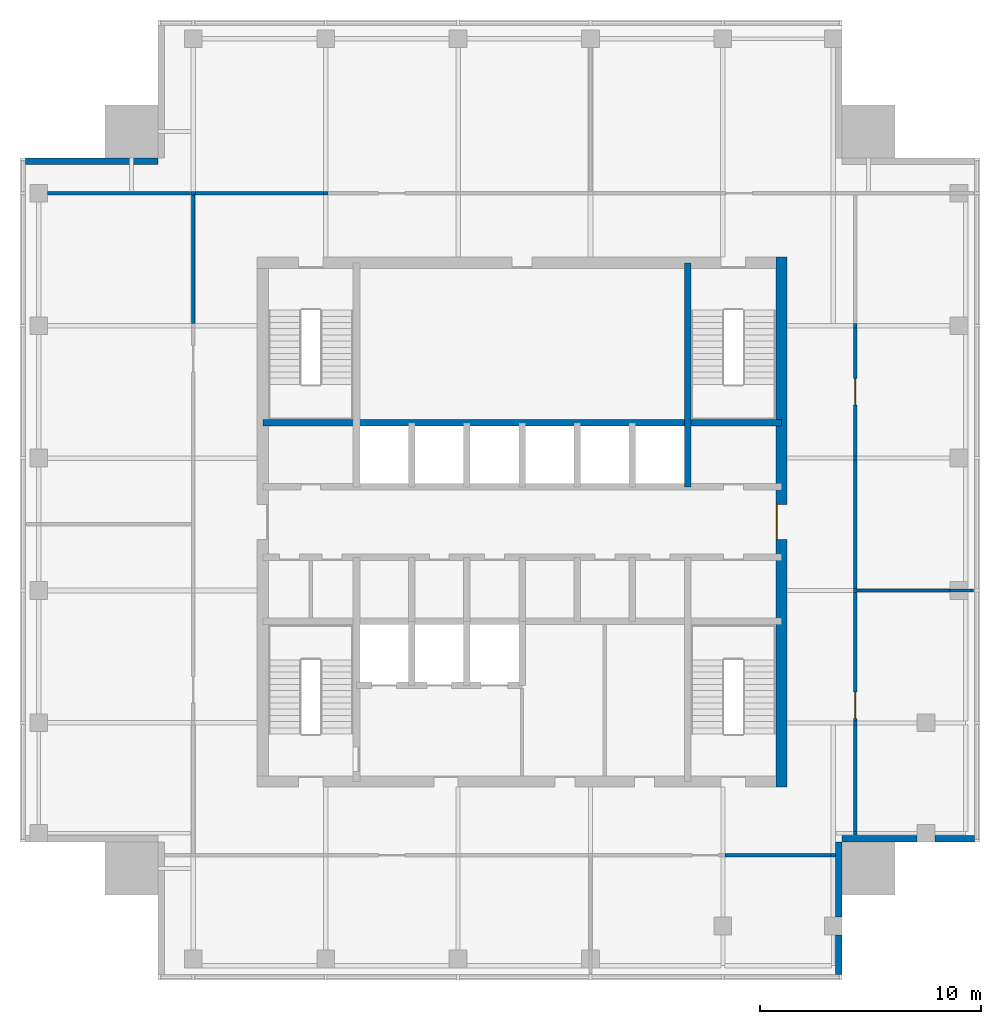
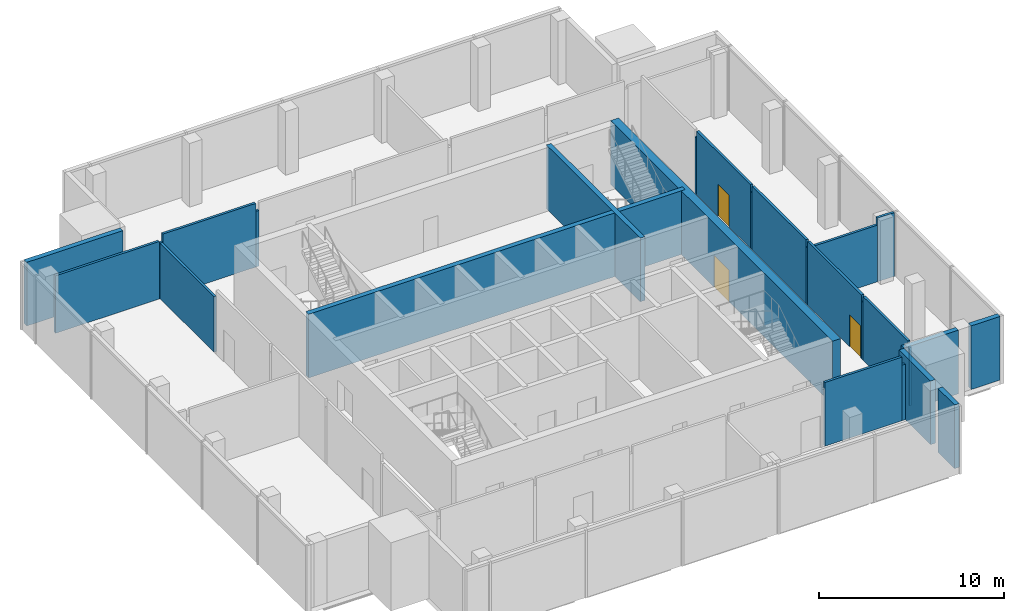
# One storey, part 5 of 7: 26 walls, 3 doors, 3 openings.
"""IFC4 building model written with IfcOpenShell, lengths in metres."""

from ifc_helpers import new_model, si_unit, direction, frame, frame_2d, origin, place, context, subcontext, project, spatial, rectangle, extrude, material, layer, layer_set, type_object, element, fill, save


model = new_model("IFC4")

# Units and contexts
model_context = context("Model", 3, precision=1e-05, world=origin(), true_north=direction((0.0, 1.0)))
body_context = subcontext(model_context, "Body", "Model", "MODEL_VIEW")
ifc_project = project(units=[si_unit("LENGTHUNIT", "METRE"), si_unit("AREAUNIT", "SQUARE_METRE"), si_unit("VOLUMEUNIT", "CUBIC_METRE"), si_unit("PLANEANGLEUNIT", "RADIAN"), si_unit("MASSUNIT", "GRAM", prefix="KILO")], contexts=[model_context])

# Site, building, storey
site_placement = place(None, origin())
site = spatial("IfcSite", under=ifc_project, at=site_placement, CompositionType="ELEMENT")
building_placement = place(site_placement, origin())
building = spatial("IfcBuilding", under=site, at=building_placement, Name="Amberfall Residences", CompositionType="ELEMENT")
storey_placement = place(building_placement, frame((0.0, 0.0, 281.800048828125)))
storey = spatial("IfcBuildingStorey", under=building, at=storey_placement, Name="L76 Crown", CompositionType="ELEMENT", Elevation=281.800048828125)

# Walls
ifc_material_1 = material(Name="Concrete C50", Category="concrete")
ifc_layer_1 = layer(ifc_material_1, 0.300048828125)
ifc_layer_set_1 = layer_set([ifc_layer_1], Name="Core wall 300 C50")
wall_type_1 = type_object("IfcWallType", Name="Core wall 300 C50", PredefinedType="SHEAR", material=ifc_layer_set_1)
wall_1_placement = place(storey_placement, frame((62.75, 50.0, 0.0), z_axis=(0.0, 0.0, 1.0), x_axis=(1.0, 0.0, 0.0)))
element("IfcWall", 1, at=wall_1_placement, inside=storey, type_object=wall_type_1, Name="Core wall RW10 L76 Crown H165", PredefinedType="SHEAR", context=body_context, shape_type="SweptSolid", body=[
    extrude(rectangle(XDim=23.5, YDim=0.300048828125, at=frame_2d((11.75, 0.0))), origin(), (0.0, 0.0, 1.0), 4.199951171875),
])
wall_2_placement = place(storey_placement, frame((82.0, 47.10009765625, 0.0), z_axis=(0.0, 0.0, 1.0), x_axis=(0.0, 1.0, 0.0)))
element("IfcWall", 2, at=wall_2_placement, inside=storey, type_object=wall_type_1, Name="Core wall RW10 L76 Crown V195N", PredefinedType="SHEAR", context=body_context, shape_type="SweptSolid", body=[
    extrude(rectangle(XDim=10.14990234375, YDim=0.300048828125, at=frame_2d((5.074951171875, 0.0))), origin(), (0.0, 0.0, 1.0), 4.199951171875),
])

# Wall, opening, door
ifc_layer_2 = layer(ifc_material_1, 0.5)
ifc_layer_set_2 = layer_set([ifc_layer_2], Name="Core wall 500 C50")
wall_type_2 = type_object("IfcWallType", Name="Core wall 500 C50", PredefinedType="SHEAR", material=ifc_layer_set_2)
wall_3_placement = place(storey_placement, frame((86.25, 33.5, 0.0), z_axis=(0.0, 0.0, 1.0), x_axis=(0.0, 1.0, 0.0)))
wall_3 = element("IfcWall", 3, at=wall_3_placement, inside=storey, type_object=wall_type_2, Name="Core wall RW9 L76 Crown OE", PredefinedType="SHEAR", context=body_context, shape_type="SweptSolid", body=[
    extrude(rectangle(XDim=24.0, YDim=0.5, at=frame_2d((12.0, 0.0))), origin(), (0.0, 0.0, 1.0), 4.199951171875),
])
opening_1_placement = place(wall_3_placement, frame((11.199951171875, 0.0, 0.0)))
opening_1 = element("IfcOpeningElement", 4, at=opening_1_placement, cuts=wall_3, Name="Opening LB1", PredefinedType="OPENING", context=body_context, shape_type="SweptSolid", body=[
    extrude(rectangle(XDim=1.60009765625, YDim=2.10009765625, at=frame_2d((0.800048828125, 1.050048828125))), frame((0.0, 0.260009765625, 0.0), z_axis=(0.0, -1.0, 0.0), x_axis=(1.0, 0.0, 0.0)), (0.0, 0.0, 1.0), 0.52001953125),
])
ifc_material_2 = material(Name="Steel fire door set", Category="steel")
door_type_1 = type_object("IfcDoorType", Name="Lift lobby double door 1600 x 2100", OperationType="DOUBLE_DOOR_SINGLE_SWING", PredefinedType="DOOR", material=ifc_material_2)
door_1_placement = place(opening_1_placement, origin())
door_1 = element("IfcDoor", 5, at=door_1_placement, inside=storey, type_object=door_type_1, Name="LB1 L76 Crown", OperationType="DOUBLE_DOOR_SINGLE_SWING", OverallHeight=2.10009765625, OverallWidth=1.60009765625, PredefinedType="DOOR", context=body_context, shape_type="SweptSolid", body=[
    extrude(rectangle(XDim=1.60009765625, YDim=2.10009765625, at=frame_2d((0.800048828125, 1.050048828125))), frame((0.0, 0.2373046875, 0.0), z_axis=(0.0, -1.0, 0.0), x_axis=(1.0, 0.0, 0.0)), (0.0, 0.0, 1.0), 0.050048828125),
])
fill(opening_1, door_1)

# Walls
ifc_material_3 = material(Name="Bronze aluminium louvre cladding on insulated backing", Category="aluminium")
ifc_layer_3 = layer(ifc_material_3, 0.300048828125)
ifc_layer_set_3 = layer_set([ifc_layer_3], Name="Louvre clad wall 300")
wall_type_3 = type_object("IfcWallType", Name="Louvre clad wall 300", PredefinedType="SOLIDWALL", material=ifc_layer_set_3)
wall_4_placement = place(storey_placement, frame((88.85009765625, 25.0, 0.0), z_axis=(0.0, 0.0, 1.0), x_axis=(0.0, 1.0, 0.0)))
element("IfcWall", 6, at=wall_4_placement, inside=storey, type_object=wall_type_3, Name="External wall L76 Crown SE", PredefinedType="SOLIDWALL", context=body_context, shape_type="SweptSolid", body=[
    extrude(rectangle(XDim=1.800048828125, YDim=0.300048828125, at=frame_2d((0.89990234375, 0.0))), origin(), (0.0, 0.0, 1.0), 4.199951171875),
])
for number, where, z_axis, x_axis, name in (
    (7, (88.85009765625, 27.60009765625, 0.0), (0.0, 0.0, 1.0), (0.0, 1.0, 0.0), "External wall L76 Crown SE"),
    (8, (89.0, 31.14990234375, 0.0), (0.0, 0.0, 1.0), (1.0, 0.0, 0.0), "External wall L76 Crown SE"),
):
    element("IfcWall", number, at=place(storey_placement, frame(where, z_axis=z_axis, x_axis=x_axis)), inside=storey, type_object=wall_type_3, Name=name, PredefinedType="SOLIDWALL", context=body_context, shape_type="SweptSolid", body=[
        extrude(rectangle(XDim=3.39990234375, YDim=0.300048828125, at=frame_2d((1.699951171875, 0.0))), origin(), (0.0, 0.0, 1.0), 4.199951171875),
    ])
wall_5_placement = place(storey_placement, frame((93.199951171875, 31.14990234375, 0.0), z_axis=(0.0, 0.0, 1.0), x_axis=(1.0, 0.0, 0.0)))
element("IfcWall", 9, at=wall_5_placement, inside=storey, type_object=wall_type_3, Name="External wall L76 Crown SE", PredefinedType="SOLIDWALL", context=body_context, shape_type="SweptSolid", body=[
    extrude(rectangle(XDim=1.800048828125, YDim=0.300048828125, at=frame_2d((0.89990234375, 0.0))), origin(), (0.0, 0.0, 1.0), 4.199951171875),
])
wall_6_placement = place(storey_placement, frame((58.0, 61.85009765625, 0.0), z_axis=(0.0, 0.0, 1.0), x_axis=(-1.0, 0.0, 0.0)))
element("IfcWall", 10, at=wall_6_placement, inside=storey, type_object=wall_type_3, Name="External wall L76 Crown NW", PredefinedType="SOLIDWALL", context=body_context, shape_type="SweptSolid", body=[
    extrude(rectangle(XDim=6.0, YDim=0.300048828125, at=frame_2d((3.0, 0.0))), origin(), (0.0, 0.0, 1.0), 4.199951171875),
])
ifc_material_4 = material(Name="Fire-rated gypsum board on steel studs", Category="steel")
ifc_layer_4 = layer(ifc_material_4, 0.14990234375)
ifc_layer_set_4 = layer_set([ifc_layer_4], Name="Partition 150 fire-rated")
wall_type_4 = type_object("IfcWallType", Name="Partition 150 fire-rated", PredefinedType="PARTITIONING", material=ifc_layer_set_4)
wall_7_placement = place(storey_placement, frame((83.688720703125, 30.39990234375, 0.0), z_axis=(0.0, 0.0, 1.0), x_axis=(1.0, 0.0, 0.0)))
element("IfcWall", 11, at=wall_7_placement, inside=storey, type_object=wall_type_4, Name="Partition 150 fire-rated L76 Crown 011", PredefinedType="PARTITIONING", context=body_context, shape_type="SweptSolid", body=[
    extrude(rectangle(XDim=4.806640625, YDim=0.14990234375, at=frame_2d((2.4033203125, 0.0))), origin(), (0.0, 0.0, 1.0), 4.199951171875),
])
wall_8_placement = place(storey_placement, frame((88.495361328125, 30.39990234375, 0.0), z_axis=(0.0, 0.0, 1.0), x_axis=(1.0, 0.0, 0.0)))
element("IfcWall", 12, at=wall_8_placement, inside=storey, type_object=wall_type_4, Name="Partition 150 fire-rated L76 Crown 012", PredefinedType="PARTITIONING", context=body_context, shape_type="SweptSolid", body=[
    extrude(rectangle(XDim=0.20458984375, YDim=0.14990234375, at=frame_2d((0.102294921875, 0.0))), origin(), (0.0, 0.0, 1.0), 3.6669921875),
])
wall_9_placement = place(storey_placement, frame((89.675048828125, 42.39990234375, 0.0), z_axis=(0.0, 0.0, 1.0), x_axis=(1.0, 0.0, 0.0)))
element("IfcWall", 13, at=wall_9_placement, inside=storey, type_object=wall_type_4, Name="Partition 150 fire-rated L76 Crown 013", PredefinedType="PARTITIONING", context=body_context, shape_type="SweptSolid", body=[
    extrude(rectangle(XDim=4.224853515625, YDim=0.14990234375, at=frame_2d((2.1123046875, 0.0))), origin(), (0.0, 0.0, 1.0), 3.739990234375),
])
wall_10_placement = place(storey_placement, frame((93.89990234375, 42.39990234375, 0.0), z_axis=(0.0, 0.0, 1.0), x_axis=(1.0, 0.0, 0.0)))
element("IfcWall", 14, at=wall_10_placement, inside=storey, type_object=wall_type_4, Name="Partition 150 fire-rated L76 Crown 014", PredefinedType="PARTITIONING", context=body_context, shape_type="SweptSolid", body=[
    extrude(rectangle(XDim=1.050048828125, YDim=0.14990234375, at=frame_2d((0.52490234375, 0.0))), origin(), (0.0, 0.0, 1.0), 4.199951171875),
])
wall_11_placement = place(storey_placement, frame((53.0, 60.39990234375, 0.0), z_axis=(0.0, 0.0, 1.0), x_axis=(1.0, 0.0, 0.0)))
element("IfcWall", 15, at=wall_11_placement, inside=storey, type_object=wall_type_4, Name="Partition 150 fire-rated L76 Crown 018", PredefinedType="PARTITIONING", context=body_context, shape_type="SweptSolid", body=[
    extrude(rectangle(XDim=6.47998046875, YDim=0.14990234375, at=frame_2d((3.239990234375, 0.0))), origin(), (0.0, 0.0, 1.0), 3.796875),
])
wall_12_placement = place(storey_placement, frame((59.49462890625, 60.39990234375, 0.0), z_axis=(0.0, 0.0, 1.0), x_axis=(1.0, 0.0, 0.0)))
element("IfcWall", 16, at=wall_12_placement, inside=storey, type_object=wall_type_4, Name="Partition 150 fire-rated L76 Crown 019", PredefinedType="PARTITIONING", context=body_context, shape_type="SweptSolid", body=[
    extrude(rectangle(XDim=0.210693359375, YDim=0.14990234375, at=frame_2d((0.10546875, 0.0))), origin(), (0.0, 0.0, 1.0), 3.660888671875),
])
wall_13_placement = place(storey_placement, frame((59.705322265625, 60.39990234375, 0.0), z_axis=(0.0, 0.0, 1.0), x_axis=(1.0, 0.0, 0.0)))
element("IfcWall", 17, at=wall_13_placement, inside=storey, type_object=wall_type_4, Name="Partition 150 fire-rated L76 Crown 020", PredefinedType="PARTITIONING", context=body_context, shape_type="SweptSolid", body=[
    extrude(rectangle(XDim=5.7900390625, YDim=0.14990234375, at=frame_2d((2.89501953125, 0.0))), origin(), (0.0, 0.0, 1.0), 4.199951171875),
])
wall_14_placement = place(storey_placement, frame((65.495361328125, 60.39990234375, 0.0), z_axis=(0.0, 0.0, 1.0), x_axis=(1.0, 0.0, 0.0)))
element("IfcWall", 18, at=wall_14_placement, inside=storey, type_object=wall_type_4, Name="Partition 150 fire-rated L76 Crown 021", PredefinedType="PARTITIONING", context=body_context, shape_type="SweptSolid", body=[
    extrude(rectangle(XDim=0.209228515625, YDim=0.14990234375, at=frame_2d((0.1044921875, 0.0))), origin(), (0.0, 0.0, 1.0), 3.6669921875),
])
wall_15_placement = place(storey_placement, frame((59.60009765625, 54.504638671875, 0.0), z_axis=(0.0, 0.0, 1.0), x_axis=(0.0, 1.0, 0.0)))
element("IfcWall", 19, at=wall_15_placement, inside=storey, type_object=wall_type_4, Name="Partition 150 fire-rated L76 Crown 040", PredefinedType="PARTITIONING", context=body_context, shape_type="SweptSolid", body=[
    extrude(rectangle(XDim=5.8203125, YDim=0.14990234375, at=frame_2d((2.91015625, 0.0))), origin(), (0.0, 0.0, 1.0), 3.660888671875),
])
wall_16_placement = place(storey_placement, frame((89.60009765625, 31.314453125, 0.0), z_axis=(0.0, 0.0, 1.0), x_axis=(0.0, 1.0, 0.0)))
element("IfcWall", 20, at=wall_16_placement, inside=storey, type_object=wall_type_4, Name="Partition 150 fire-rated L76 Crown 044", PredefinedType="PARTITIONING", context=body_context, shape_type="SweptSolid", body=[
    extrude(rectangle(XDim=0.171142578125, YDim=0.14990234375, at=frame_2d((0.08544921875, 0.0))), origin(), (0.0, 0.0, 1.0), 3.848876953125),
])
wall_17_placement = place(storey_placement, frame((89.60009765625, 31.485595703125, 0.0), z_axis=(0.0, 0.0, 1.0), x_axis=(0.0, 1.0, 0.0)))
element("IfcWall", 21, at=wall_17_placement, inside=storey, type_object=wall_type_4, Name="Partition 150 fire-rated L76 Crown 045", PredefinedType="PARTITIONING", context=body_context, shape_type="SweptSolid", body=[
    extrude(rectangle(XDim=4.825439453125, YDim=0.14990234375, at=frame_2d((2.41259765625, 0.0))), origin(), (0.0, 0.0, 1.0), 4.199951171875),
])
wall_18_placement = place(storey_placement, frame((89.60009765625, 36.31103515625, 0.0), z_axis=(0.0, 0.0, 1.0), x_axis=(0.0, 1.0, 0.0)))
element("IfcWall", 22, at=wall_18_placement, inside=storey, type_object=wall_type_4, Name="Partition 150 fire-rated L76 Crown 046", PredefinedType="PARTITIONING", context=body_context, shape_type="SweptSolid", body=[
    extrude(rectangle(XDim=0.177734375, YDim=0.14990234375, at=frame_2d((0.0888671875, 0.0))), origin(), (0.0, 0.0, 1.0), 3.796875),
])

# Wall, opening, door
wall_19_placement = place(storey_placement, frame((89.60009765625, 36.48876953125, 0.0), z_axis=(0.0, 0.0, 1.0), x_axis=(0.0, 1.0, 0.0)))
wall_19 = element("IfcWall", 23, at=wall_19_placement, inside=storey, type_object=wall_type_4, Name="Partition 150 fire-rated L76 Crown 047", PredefinedType="PARTITIONING", context=body_context, shape_type="SweptSolid", body=[
    extrude(rectangle(XDim=5.8154296875, YDim=0.14990234375, at=frame_2d((2.90771484375, 0.0))), origin(), (0.0, 0.0, 1.0), 4.199951171875),
])
opening_2_placement = place(wall_19_placement, frame((0.111083984375, 0.0, 0.0)))
opening_2 = element("IfcOpeningElement", 24, at=opening_2_placement, cuts=wall_19, Name="Opening D7", PredefinedType="OPENING", context=body_context, shape_type="SweptSolid", body=[
    extrude(rectangle(XDim=1.199951171875, YDim=2.10009765625, at=frame_2d((0.60009765625, 1.050048828125))), frame((0.0, 0.0849609375, 0.0), z_axis=(0.0, -1.0, 0.0), x_axis=(1.0, 0.0, 0.0)), (0.0, 0.0, 1.0), 0.169921875),
])
ifc_material_5 = material(Name="Steel fire door leaf", Category="steel")
door_type_2 = type_object("IfcDoorType", Name="Plant room door 1200x2100", OperationType="SINGLE_SWING_LEFT", PredefinedType="DOOR", material=ifc_material_5)
door_2_placement = place(opening_2_placement, origin())
door_2 = element("IfcDoor", 25, at=door_2_placement, inside=storey, type_object=door_type_2, Name="Door Switch room", OperationType="SINGLE_SWING_LEFT", OverallHeight=2.10009765625, OverallWidth=1.199951171875, PredefinedType="DOOR", context=body_context, shape_type="SweptSolid", body=[
    extrude(rectangle(XDim=1.199951171875, YDim=2.10009765625, at=frame_2d((0.60009765625, 1.050048828125))), frame((0.0, 0.02490234375, 0.0), z_axis=(0.0, -1.0, 0.0), x_axis=(1.0, 0.0, 0.0)), (0.0, 0.0, 1.0), 0.050048828125),
])
fill(opening_2, door_2)

# Walls
wall_20_placement = place(storey_placement, frame((89.60009765625, 42.30419921875, 0.0), z_axis=(0.0, 0.0, 1.0), x_axis=(0.0, 1.0, 0.0)))
element("IfcWall", 26, at=wall_20_placement, inside=storey, type_object=wall_type_4, Name="Partition 150 fire-rated L76 Crown 048", PredefinedType="PARTITIONING", context=body_context, shape_type="SweptSolid", body=[
    extrude(rectangle(XDim=0.19140625, YDim=0.14990234375, at=frame_2d((0.095703125, 0.0))), origin(), (0.0, 0.0, 1.0), 3.739990234375),
])
wall_21_placement = place(storey_placement, frame((89.60009765625, 42.49560546875, 0.0), z_axis=(0.0, 0.0, 1.0), x_axis=(0.0, 1.0, 0.0)))
element("IfcWall", 27, at=wall_21_placement, inside=storey, type_object=wall_type_4, Name="Partition 150 fire-rated L76 Crown 049", PredefinedType="PARTITIONING", context=body_context, shape_type="SweptSolid", body=[
    extrude(rectangle(XDim=5.80859375, YDim=0.14990234375, at=frame_2d((2.904296875, 0.0))), origin(), (0.0, 0.0, 1.0), 4.199951171875),
])
wall_22_placement = place(storey_placement, frame((89.60009765625, 48.30419921875, 0.0), z_axis=(0.0, 0.0, 1.0), x_axis=(0.0, 1.0, 0.0)))
element("IfcWall", 28, at=wall_22_placement, inside=storey, type_object=wall_type_4, Name="Partition 150 fire-rated L76 Crown 050", PredefinedType="PARTITIONING", context=body_context, shape_type="SweptSolid", body=[
    extrude(rectangle(XDim=0.19140625, YDim=0.14990234375, at=frame_2d((0.095703125, 0.0))), origin(), (0.0, 0.0, 1.0), 3.739990234375),
])

# Wall, opening, door
wall_23_placement = place(storey_placement, frame((89.60009765625, 48.49560546875, 0.0), z_axis=(0.0, 0.0, 1.0), x_axis=(0.0, 1.0, 0.0)))
wall_23 = element("IfcWall", 29, at=wall_23_placement, inside=storey, type_object=wall_type_4, Name="Partition 150 fire-rated L76 Crown 051", PredefinedType="PARTITIONING", context=body_context, shape_type="SweptSolid", body=[
    extrude(rectangle(XDim=5.80859375, YDim=0.14990234375, at=frame_2d((2.904296875, 0.0))), origin(), (0.0, 0.0, 1.0), 4.199951171875),
])
opening_3_placement = place(wall_23_placement, frame((2.304443359375, 0.0, 0.0)))
opening_3 = element("IfcOpeningElement", 30, at=opening_3_placement, cuts=wall_23, Name="Opening D7", PredefinedType="OPENING", context=body_context, shape_type="SweptSolid", body=[
    extrude(rectangle(XDim=1.199951171875, YDim=2.10009765625, at=frame_2d((0.60009765625, 1.050048828125))), frame((0.0, 0.0849609375, 0.0), z_axis=(0.0, -1.0, 0.0), x_axis=(1.0, 0.0, 0.0)), (0.0, 0.0, 1.0), 0.169921875),
])
door_3_placement = place(opening_3_placement, origin())
door_3 = element("IfcDoor", 31, at=door_3_placement, inside=storey, type_object=door_type_2, Name="Door Smoke extract plant room", OperationType="SINGLE_SWING_LEFT", OverallHeight=2.10009765625, OverallWidth=1.199951171875, PredefinedType="DOOR", context=body_context, shape_type="SweptSolid", body=[
    extrude(rectangle(XDim=1.199951171875, YDim=2.10009765625, at=frame_2d((0.60009765625, 1.050048828125))), frame((0.0, 0.02490234375, 0.0), z_axis=(0.0, -1.0, 0.0), x_axis=(1.0, 0.0, 0.0)), (0.0, 0.0, 1.0), 0.050048828125),
])
fill(opening_3, door_3)

# Wall
wall_24_placement = place(storey_placement, frame((89.60009765625, 54.30419921875, 0.0), z_axis=(0.0, 0.0, 1.0), x_axis=(0.0, 1.0, 0.0)))
element("IfcWall", 32, at=wall_24_placement, inside=storey, type_object=wall_type_4, Name="Partition 150 fire-rated L76 Crown 052", PredefinedType="PARTITIONING", context=body_context, shape_type="SweptSolid", body=[
    extrude(rectangle(XDim=0.19140625, YDim=0.14990234375, at=frame_2d((0.095703125, 0.0))), origin(), (0.0, 0.0, 1.0), 3.739990234375),
])

save(model, "model.ifc")
